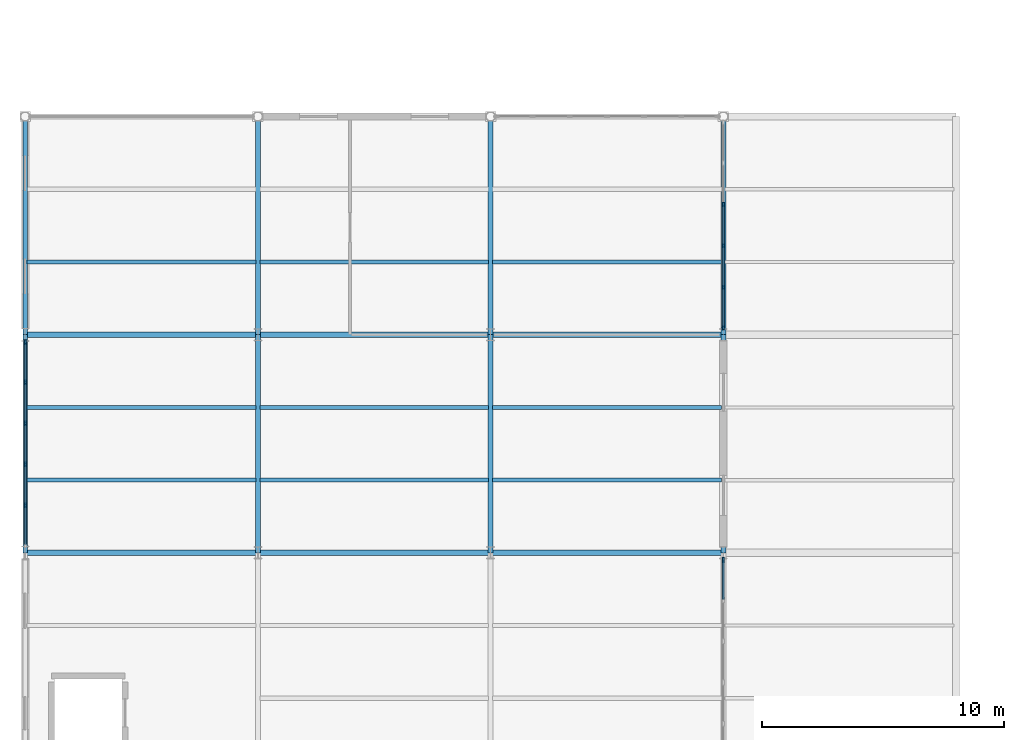
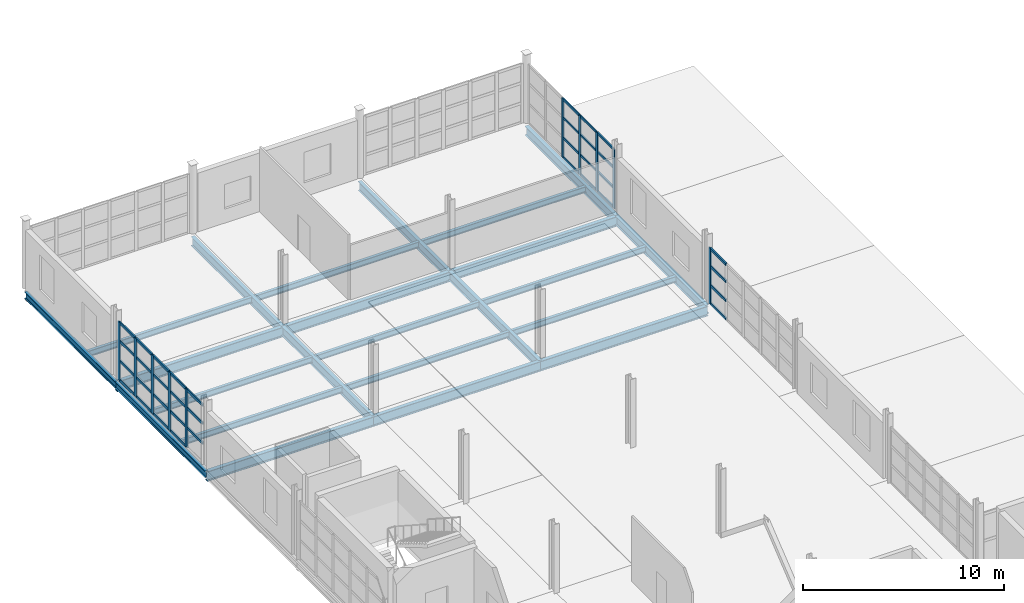
# One storey, part 21 of 82: 45 members, 23 beams, 3 elements without a shape of their own.
"""IFC4 building model written with IfcOpenShell, lengths in metres."""

from ifc_helpers import new_model, si_unit, direction, frame, origin, origin_2d, place, context, subcontext, project, spatial, rectangle, i_section, extrude, material, layer, layer_set, material_profile, profile_set, type_object, element, aggregate, save


model = new_model("IFC4")

# Units and contexts
model_context = context("Model", 3, precision=1e-05, world=origin(), true_north=direction((0.0, 1.0)))
body_context = subcontext(model_context, "Body", "Model", "MODEL_VIEW")
ifc_project = project(units=[si_unit("LENGTHUNIT", "METRE"), si_unit("AREAUNIT", "SQUARE_METRE"), si_unit("VOLUMEUNIT", "CUBIC_METRE"), si_unit("PLANEANGLEUNIT", "RADIAN"), si_unit("MASSUNIT", "GRAM", prefix="KILO")], contexts=[model_context])

# Site, building, storey
site_placement = place(None, origin())
site = spatial("IfcSite", under=ifc_project, at=site_placement, CompositionType="ELEMENT")
building_placement = place(site_placement, origin())
building = spatial("IfcBuilding", under=site, at=building_placement, Name="Zarnetskaya Central Station", CompositionType="ELEMENT")
storey_placement = place(building_placement, frame((0.0, 0.0, 10.199951171875)))
storey = spatial("IfcBuildingStorey", under=building, at=storey_placement, Name="L02", CompositionType="ELEMENT", Elevation=10.199951171875)

# Beams
ifc_material_1 = material(Name="Steel S355", Category="steel")
ifc_material_profile_1 = material_profile(ifc_material_1, i_section(OverallWidth=0.169921875, OverallDepth=0.360107421875, WebThickness=0.008056640625, FlangeThickness=0.0126953125, FilletRadius=0.01806640625, at=origin_2d()), Name="IPE 360")
ifc_profile_set_1 = profile_set([ifc_material_profile_1], Name="Steel S355")
beam_type_1 = type_object("IfcBeamType", Name="BM-SEC-360", PredefinedType="BEAM", material=ifc_profile_set_1)
for number, where, z_axis, x_axis, name in (
    (1, (0.080078125, 52.199951171875, -0.43994140625), (1.0, 0.0, 0.0), (0.0, 1.0, 0.0), "Secondary floor beam SEC-L02-Z994-AB-78-1"),
    (2, (0.080078125, 55.199951171875, -0.43994140625), (1.0, 0.0, 0.0), (0.0, 1.0, 0.0), "Secondary floor beam SEC-L02-Z994-AB-78-2"),
    (3, (0.080078125, 61.199951171875, -0.43994140625), (1.0, 0.0, 0.0), (0.0, 1.0, 0.0), "Secondary floor beam SEC-L02-Z994-AB-89-1"),
):
    element("IfcBeam", number, at=place(storey_placement, frame(where, z_axis=z_axis, x_axis=x_axis)), inside=storey, type_object=beam_type_1, Name=name, PredefinedType="BEAM", context=body_context, shape_type="SweptSolid", body=[
        extrude(i_section(OverallWidth=0.169921875, OverallDepth=0.360107421875, WebThickness=0.008056640625, FlangeThickness=0.0126953125, FilletRadius=0.01806640625, at=origin_2d()), origin(), (0.0, 0.0, 1.0), 9.43994140625),
    ])
for number, where, z_axis, x_axis, name in (
    (4, (9.679931640625, 52.199951171875, -0.43994140625), (1.0, 0.0, 0.0), (0.0, 1.0, 0.0), "Secondary floor beam SEC-L02-Z994-BC-78-1"),
    (5, (9.679931640625, 55.199951171875, -0.43994140625), (1.0, 0.0, 0.0), (0.0, 1.0, 0.0), "Secondary floor beam SEC-L02-Z994-BC-78-2"),
    (6, (9.679931640625, 61.199951171875, -0.43994140625), (1.0, 0.0, 0.0), (0.0, 1.0, 0.0), "Secondary floor beam SEC-L02-Z994-BC-89-1"),
):
    element("IfcBeam", number, at=place(storey_placement, frame(where, z_axis=z_axis, x_axis=x_axis)), inside=storey, type_object=beam_type_1, Name=name, PredefinedType="BEAM", context=body_context, shape_type="SweptSolid", body=[
        extrude(i_section(OverallWidth=0.169921875, OverallDepth=0.360107421875, WebThickness=0.008056640625, FlangeThickness=0.0126953125, FilletRadius=0.01806640625, at=origin_2d()), origin(), (0.0, 0.0, 1.0), 9.440185546875),
    ])
for number, where, z_axis, x_axis, name in (
    (7, (19.280029296875, 52.199951171875, -0.43994140625), (1.0, 0.0, 0.0), (0.0, 1.0, 0.0), "Secondary floor beam SEC-L02-Z994-CD-78-1"),
    (8, (19.280029296875, 55.199951171875, -0.43994140625), (1.0, 0.0, 0.0), (0.0, 1.0, 0.0), "Secondary floor beam SEC-L02-Z994-CD-78-2"),
    (9, (19.280029296875, 61.199951171875, -0.43994140625), (1.0, 0.0, 0.0), (0.0, 1.0, 0.0), "Secondary floor beam SEC-L02-Z994-CD-89-1"),
):
    element("IfcBeam", number, at=place(storey_placement, frame(where, z_axis=z_axis, x_axis=x_axis)), inside=storey, type_object=beam_type_1, Name=name, PredefinedType="BEAM", context=body_context, shape_type="SweptSolid", body=[
        extrude(i_section(OverallWidth=0.169921875, OverallDepth=0.360107421875, WebThickness=0.008056640625, FlangeThickness=0.0126953125, FilletRadius=0.01806640625, at=origin_2d()), origin(), (0.0, 0.0, 1.0), 9.43994140625),
    ])
ifc_material_profile_2 = material_profile(ifc_material_1, i_section(OverallWidth=0.179931640625, OverallDepth=0.39990234375, WebThickness=0.008544921875, FlangeThickness=0.013427734375, FilletRadius=0.02099609375, at=origin_2d()), Name="IPE 400")
ifc_profile_set_2 = profile_set([ifc_material_profile_2], Name="Steel S355")
beam_type_2 = type_object("IfcBeamType", Name="BM-SPN-V5", PredefinedType="SPANDREL", material=ifc_profile_set_2)
for number, where, z_axis, x_axis, name in (
    (10, (0.0, 49.199951171875, -0.4599609375), (0.0, 1.0, 0.0), (-1.0, 0.0, 0.0), "Grid girder GY-L02-A-78"),
    (11, (0.0, 58.199951171875, -0.4599609375), (0.0, 1.0, 0.0), (-1.0, 0.0, 0.0), "Grid girder GY-L02-A-89"),
):
    element("IfcBeam", number, at=place(storey_placement, frame(where, z_axis=z_axis, x_axis=x_axis)), inside=storey, type_object=beam_type_2, Name=name, PredefinedType="SPANDREL", context=body_context, shape_type="SweptSolid", body=[
        extrude(i_section(OverallWidth=0.179931640625, OverallDepth=0.39990234375, WebThickness=0.008544921875, FlangeThickness=0.013427734375, FilletRadius=0.02099609375, at=origin_2d()), origin(), (0.0, 0.0, 1.0), 9.0),
    ])

# Curtain wall, members
ifc_material_2 = material(Name="Low-E insulated glass", Category="glass")
ifc_layer_1 = layer(ifc_material_2, 0.172119140625, Name="Low-E insulated glass", Category="glass")
ifc_layer_set_1 = layer_set([ifc_layer_1], Name="Low-E insulated glass")
curtain_wall_type_1 = type_object("IfcCurtainWallType", Name="CW-SYS-04", PredefinedType="USERDEFINED", material=ifc_layer_set_1)
curtain_wall_1_placement = place(storey_placement, origin())
curtain_wall_1 = element("IfcCurtainWall", 12, at=curtain_wall_1_placement, inside=storey, type_object=curtain_wall_type_1, Name="Curtain wall CW-L02-021", ObjectType="CURTAIN WALL", PredefinedType="USERDEFINED")
ifc_material_3 = material(Name="Anodised aluminium", Category="aluminium")
ifc_material_profile_3 = material_profile(ifc_material_3, rectangle(XDim=0.070068359375, YDim=0.179931640625, at=origin_2d()), Name="ALU MULL 70x180")
ifc_profile_set_3 = profile_set([ifc_material_profile_3], Name="Anodised aluminium")
member_type_1 = type_object("IfcMemberType", Name="CW-MULL-180", PredefinedType="MULLION", material=ifc_profile_set_3)
member_1_placement = place(storey_placement, frame((28.800048828125, 63.578125, 0.0), z_axis=(0.0, 0.0, 1.0), x_axis=(1.0, 0.0, 0.0)))
member_1 = element("IfcMember", 13, at=member_1_placement, type_object=member_type_1, Name="CW-15 mullion 3", PredefinedType="MULLION", context=body_context, shape_type="SweptSolid", body=[
    extrude(rectangle(XDim=0.070068359375, YDim=0.179931640625, at=origin_2d()), origin(), (0.0, 0.0, 1.0), 3.60009765625),
])
member_2_placement = place(storey_placement, frame((28.800048828125, 61.86865234375, 0.0), z_axis=(0.0, 0.0, 1.0), x_axis=(1.0, 0.0, 0.0)))
member_2 = element("IfcMember", 14, at=member_2_placement, type_object=member_type_1, Name="CW-15 mullion 4", PredefinedType="MULLION", context=body_context, shape_type="SweptSolid", body=[
    extrude(rectangle(XDim=0.070068359375, YDim=0.179931640625, at=origin_2d()), origin(), (0.0, 0.0, 1.0), 3.60009765625),
])
member_3_placement = place(storey_placement, frame((28.800048828125, 60.159423828125, 0.0), z_axis=(0.0, 0.0, 1.0), x_axis=(1.0, 0.0, 0.0)))
member_3 = element("IfcMember", 15, at=member_3_placement, type_object=member_type_1, Name="CW-15 mullion 5", PredefinedType="MULLION", context=body_context, shape_type="SweptSolid", body=[
    extrude(rectangle(XDim=0.070068359375, YDim=0.179931640625, at=origin_2d()), origin(), (0.0, 0.0, 1.0), 3.60009765625),
])
member_4_placement = place(storey_placement, frame((28.800048828125, 58.485107421875, 0.0), z_axis=(0.0, 0.0, 1.0), x_axis=(1.0, 0.0, 0.0)))
member_4 = element("IfcMember", 16, at=member_4_placement, type_object=member_type_1, Name="CW-15 mullion 6", PredefinedType="MULLION", context=body_context, shape_type="SweptSolid", body=[
    extrude(rectangle(XDim=0.070068359375, YDim=0.179931640625, at=origin_2d()), origin(), (0.0, 0.0, 1.0), 3.60009765625),
])

ifc_layer_2 = layer(ifc_material_2, 0.176025390625, Name="Low-E insulated glass", Category="glass")
ifc_layer_set_2 = layer_set([ifc_layer_2], Name="Low-E insulated glass")
curtain_wall_type_2 = type_object("IfcCurtainWallType", Name="CW-SYS-10", PredefinedType="USERDEFINED", material=ifc_layer_set_2)
curtain_wall_2_placement = place(storey_placement, origin())
curtain_wall_2 = element("IfcCurtainWall", 17, at=curtain_wall_2_placement, inside=storey, type_object=curtain_wall_type_2, Name="Curtain wall CW-L02-018", ObjectType="CURTAIN WALL", PredefinedType="USERDEFINED")
ifc_material_profile_4 = material_profile(ifc_material_3, rectangle(XDim=0.080078125, YDim=0.219970703125, at=origin_2d()), Name="ALU MULL 80x220")
ifc_profile_set_4 = profile_set([ifc_material_profile_4], Name="Anodised aluminium")
member_type_2 = type_object("IfcMemberType", Name="CW-MULL-220", PredefinedType="MULLION", material=ifc_profile_set_4)
member_5_placement = place(storey_placement, frame((0.0, 51.1650390625, 0.0), z_axis=(0.0, 0.0, 1.0), x_axis=(-1.0, 0.0, 0.0)))
member_5 = element("IfcMember", 18, at=member_5_placement, type_object=member_type_2, Name="CW-13 mullion 2", PredefinedType="MULLION", context=body_context, shape_type="SweptSolid", body=[
    extrude(rectangle(XDim=0.080078125, YDim=0.219970703125, at=origin_2d()), origin(), (0.0, 0.0, 1.0), 3.550048828125),
])
member_6_placement = place(storey_placement, frame((0.0, 52.85498046875, 0.0), z_axis=(0.0, 0.0, 1.0), x_axis=(-1.0, 0.0, 0.0)))
member_6 = element("IfcMember", 19, at=member_6_placement, type_object=member_type_2, Name="CW-13 mullion 3", PredefinedType="MULLION", context=body_context, shape_type="SweptSolid", body=[
    extrude(rectangle(XDim=0.080078125, YDim=0.219970703125, at=origin_2d()), origin(), (0.0, 0.0, 1.0), 3.550048828125),
])
member_7_placement = place(storey_placement, frame((0.0, 54.544921875, 0.0), z_axis=(0.0, 0.0, 1.0), x_axis=(-1.0, 0.0, 0.0)))
member_7 = element("IfcMember", 20, at=member_7_placement, type_object=member_type_2, Name="CW-13 mullion 4", PredefinedType="MULLION", context=body_context, shape_type="SweptSolid", body=[
    extrude(rectangle(XDim=0.080078125, YDim=0.219970703125, at=origin_2d()), origin(), (0.0, 0.0, 1.0), 3.550048828125),
])
member_8_placement = place(storey_placement, frame((0.0, 56.235107421875, 0.0), z_axis=(0.0, 0.0, 1.0), x_axis=(-1.0, 0.0, 0.0)))
member_8 = element("IfcMember", 21, at=member_8_placement, type_object=member_type_2, Name="CW-13 mullion 5", PredefinedType="MULLION", context=body_context, shape_type="SweptSolid", body=[
    extrude(rectangle(XDim=0.080078125, YDim=0.219970703125, at=origin_2d()), origin(), (0.0, 0.0, 1.0), 3.550048828125),
])
member_9_placement = place(storey_placement, frame((0.0, 57.885009765625, 0.0), z_axis=(0.0, 0.0, 1.0), x_axis=(-1.0, 0.0, 0.0)))
member_9 = element("IfcMember", 22, at=member_9_placement, type_object=member_type_2, Name="CW-13 mullion 6", PredefinedType="MULLION", context=body_context, shape_type="SweptSolid", body=[
    extrude(rectangle(XDim=0.080078125, YDim=0.219970703125, at=origin_2d()), origin(), (0.0, 0.0, 1.0), 3.550048828125),
])

# Curtain wall, member
ifc_layer_3 = layer(ifc_material_2, 0.159912109375, Name="Low-E insulated glass", Category="glass")
ifc_layer_set_3 = layer_set([ifc_layer_3], Name="Low-E insulated glass")
curtain_wall_type_3 = type_object("IfcCurtainWallType", Name="CW-SYS-06", PredefinedType="USERDEFINED", material=ifc_layer_set_3)
curtain_wall_3_placement = place(storey_placement, origin())
curtain_wall_3 = element("IfcCurtainWall", 23, at=curtain_wall_3_placement, inside=storey, type_object=curtain_wall_type_3, Name="Curtain wall CW-L02-022", ObjectType="CURTAIN WALL", PredefinedType="USERDEFINED")
member_10_placement = place(storey_placement, frame((28.800048828125, 48.909912109375, 0.0), z_axis=(0.0, 0.0, 1.0), x_axis=(1.0, 0.0, 0.0)))
member_10 = element("IfcMember", 24, at=member_10_placement, type_object=member_type_2, Name="CW-02 mullion 1", PredefinedType="MULLION", context=body_context, shape_type="SweptSolid", body=[
    extrude(rectangle(XDim=0.080078125, YDim=0.219970703125, at=origin_2d()), origin(), (0.0, 0.0, 1.0), 3.400146484375),
])

# Member
ifc_material_profile_5 = material_profile(ifc_material_3, rectangle(XDim=0.070068359375, YDim=0.139892578125, at=origin_2d()), Name="ALU TRAN 70x140")
ifc_profile_set_5 = profile_set([ifc_material_profile_5], Name="Anodised aluminium")
member_type_3 = type_object("IfcMemberType", Name="CW-TRAN-140", PredefinedType="USERDEFINED", material=ifc_profile_set_5)
member_11_placement = place(storey_placement, frame((28.800048828125, 63.54296875, 0.03515625), z_axis=(0.0, -1.0, 0.0), x_axis=(1.0, 0.0, 0.0)))
member_11 = element("IfcMember", 25, at=member_11_placement, type_object=member_type_3, Name="CW-15 transom 3.1", ObjectType="TRANSOM", PredefinedType="USERDEFINED", context=body_context, shape_type="SweptSolid", body=[
    extrude(rectangle(XDim=0.070068359375, YDim=0.139892578125, at=origin_2d()), origin(), (0.0, 0.0, 1.0), 1.63916015625),
])

member_12_placement = place(storey_placement, frame((28.800048828125, 63.54296875, 1.22412109375), z_axis=(0.0, -1.0, 0.0), x_axis=(1.0, 0.0, 0.0)))
member_12 = element("IfcMember", 26, at=member_12_placement, type_object=member_type_3, Name="CW-15 transom 3.2", ObjectType="TRANSOM", PredefinedType="USERDEFINED", context=body_context, shape_type="SweptSolid", body=[
    extrude(rectangle(XDim=0.070068359375, YDim=0.139892578125, at=origin_2d()), origin(), (0.0, 0.0, 1.0), 1.63916015625),
])

member_13_placement = place(storey_placement, frame((28.800048828125, 63.54296875, 2.447998046875), z_axis=(0.0, -1.0, 0.0), x_axis=(1.0, 0.0, 0.0)))
member_13 = element("IfcMember", 27, at=member_13_placement, type_object=member_type_3, Name="CW-15 transom 3.3", ObjectType="TRANSOM", PredefinedType="USERDEFINED", context=body_context, shape_type="SweptSolid", body=[
    extrude(rectangle(XDim=0.070068359375, YDim=0.139892578125, at=origin_2d()), origin(), (0.0, 0.0, 1.0), 1.63916015625),
])

member_14_placement = place(storey_placement, frame((28.800048828125, 63.54296875, 3.56494140625), z_axis=(0.0, -1.0, 0.0), x_axis=(1.0, 0.0, 0.0)))
member_14 = element("IfcMember", 28, at=member_14_placement, type_object=member_type_3, Name="CW-15 transom 3.4", ObjectType="TRANSOM", PredefinedType="USERDEFINED", context=body_context, shape_type="SweptSolid", body=[
    extrude(rectangle(XDim=0.070068359375, YDim=0.139892578125, at=origin_2d()), origin(), (0.0, 0.0, 1.0), 1.63916015625),
])

member_15_placement = place(storey_placement, frame((28.800048828125, 61.833740234375, 0.03515625), z_axis=(0.0, -1.0, 0.0), x_axis=(1.0, 0.0, 0.0)))
member_15 = element("IfcMember", 29, at=member_15_placement, type_object=member_type_3, Name="CW-15 transom 4.1", ObjectType="TRANSOM", PredefinedType="USERDEFINED", context=body_context, shape_type="SweptSolid", body=[
    extrude(rectangle(XDim=0.070068359375, YDim=0.139892578125, at=origin_2d()), origin(), (0.0, 0.0, 1.0), 1.639404296875),
])

member_16_placement = place(storey_placement, frame((28.800048828125, 61.833740234375, 1.22412109375), z_axis=(0.0, -1.0, 0.0), x_axis=(1.0, 0.0, 0.0)))
member_16 = element("IfcMember", 30, at=member_16_placement, type_object=member_type_3, Name="CW-15 transom 4.2", ObjectType="TRANSOM", PredefinedType="USERDEFINED", context=body_context, shape_type="SweptSolid", body=[
    extrude(rectangle(XDim=0.070068359375, YDim=0.139892578125, at=origin_2d()), origin(), (0.0, 0.0, 1.0), 1.639404296875),
])

member_17_placement = place(storey_placement, frame((28.800048828125, 61.833740234375, 2.447998046875), z_axis=(0.0, -1.0, 0.0), x_axis=(1.0, 0.0, 0.0)))
member_17 = element("IfcMember", 31, at=member_17_placement, type_object=member_type_3, Name="CW-15 transom 4.3", ObjectType="TRANSOM", PredefinedType="USERDEFINED", context=body_context, shape_type="SweptSolid", body=[
    extrude(rectangle(XDim=0.070068359375, YDim=0.139892578125, at=origin_2d()), origin(), (0.0, 0.0, 1.0), 1.639404296875),
])

member_18_placement = place(storey_placement, frame((28.800048828125, 61.833740234375, 3.56494140625), z_axis=(0.0, -1.0, 0.0), x_axis=(1.0, 0.0, 0.0)))
member_18 = element("IfcMember", 32, at=member_18_placement, type_object=member_type_3, Name="CW-15 transom 4.4", ObjectType="TRANSOM", PredefinedType="USERDEFINED", context=body_context, shape_type="SweptSolid", body=[
    extrude(rectangle(XDim=0.070068359375, YDim=0.139892578125, at=origin_2d()), origin(), (0.0, 0.0, 1.0), 1.639404296875),
])

member_19_placement = place(storey_placement, frame((28.800048828125, 60.124267578125, 0.03515625), z_axis=(0.0, -1.0, 0.0), x_axis=(1.0, 0.0, 0.0)))
member_19 = element("IfcMember", 33, at=member_19_placement, type_object=member_type_3, Name="CW-15 transom 5.1", ObjectType="TRANSOM", PredefinedType="USERDEFINED", context=body_context, shape_type="SweptSolid", body=[
    extrude(rectangle(XDim=0.070068359375, YDim=0.139892578125, at=origin_2d()), origin(), (0.0, 0.0, 1.0), 1.604248046875),
])

member_20_placement = place(storey_placement, frame((28.800048828125, 60.124267578125, 1.22412109375), z_axis=(0.0, -1.0, 0.0), x_axis=(1.0, 0.0, 0.0)))
member_20 = element("IfcMember", 34, at=member_20_placement, type_object=member_type_3, Name="CW-15 transom 5.2", ObjectType="TRANSOM", PredefinedType="USERDEFINED", context=body_context, shape_type="SweptSolid", body=[
    extrude(rectangle(XDim=0.070068359375, YDim=0.139892578125, at=origin_2d()), origin(), (0.0, 0.0, 1.0), 1.604248046875),
])

member_21_placement = place(storey_placement, frame((28.800048828125, 60.124267578125, 2.447998046875), z_axis=(0.0, -1.0, 0.0), x_axis=(1.0, 0.0, 0.0)))
member_21 = element("IfcMember", 35, at=member_21_placement, type_object=member_type_3, Name="CW-15 transom 5.3", ObjectType="TRANSOM", PredefinedType="USERDEFINED", context=body_context, shape_type="SweptSolid", body=[
    extrude(rectangle(XDim=0.070068359375, YDim=0.139892578125, at=origin_2d()), origin(), (0.0, 0.0, 1.0), 1.604248046875),
])

member_22_placement = place(storey_placement, frame((28.800048828125, 60.124267578125, 3.56494140625), z_axis=(0.0, -1.0, 0.0), x_axis=(1.0, 0.0, 0.0)))
member_22 = element("IfcMember", 36, at=member_22_placement, type_object=member_type_3, Name="CW-15 transom 5.4", ObjectType="TRANSOM", PredefinedType="USERDEFINED", context=body_context, shape_type="SweptSolid", body=[
    extrude(rectangle(XDim=0.070068359375, YDim=0.139892578125, at=origin_2d()), origin(), (0.0, 0.0, 1.0), 1.604248046875),
])

aggregate(curtain_wall_1, [member_1, member_2, member_3, member_4, member_11, member_12, member_13, member_14, member_15, member_16, member_17, member_18, member_19, member_20, member_21, member_22])

ifc_material_profile_6 = material_profile(ifc_material_3, rectangle(XDim=0.080078125, YDim=0.159912109375, at=origin_2d()), Name="ALU TRAN 80x160")
ifc_profile_set_6 = profile_set([ifc_material_profile_6], Name="Anodised aluminium")
member_type_4 = type_object("IfcMemberType", Name="CW-TRAN-160", PredefinedType="USERDEFINED", material=ifc_profile_set_6)
member_23_placement = place(storey_placement, frame((0.0, 49.554931640625, 1.20703125), z_axis=(0.0, 1.0, 0.0), x_axis=(-1.0, 0.0, 0.0)))
member_23 = element("IfcMember", 37, at=member_23_placement, type_object=member_type_4, Name="CW-13 transom 1.2", ObjectType="TRANSOM", PredefinedType="USERDEFINED", context=body_context, shape_type="SweptSolid", body=[
    extrude(rectangle(XDim=0.080078125, YDim=0.159912109375, at=origin_2d()), origin(), (0.0, 0.0, 1.0), 1.570068359375),
])

member_24_placement = place(storey_placement, frame((0.0, 49.554931640625, 2.4140625), z_axis=(0.0, 1.0, 0.0), x_axis=(-1.0, 0.0, 0.0)))
member_24 = element("IfcMember", 38, at=member_24_placement, type_object=member_type_4, Name="CW-13 transom 1.3", ObjectType="TRANSOM", PredefinedType="USERDEFINED", context=body_context, shape_type="SweptSolid", body=[
    extrude(rectangle(XDim=0.080078125, YDim=0.159912109375, at=origin_2d()), origin(), (0.0, 0.0, 1.0), 1.570068359375),
])

member_25_placement = place(storey_placement, frame((0.0, 49.554931640625, 3.510009765625), z_axis=(0.0, 1.0, 0.0), x_axis=(-1.0, 0.0, 0.0)))
member_25 = element("IfcMember", 39, at=member_25_placement, type_object=member_type_4, Name="CW-13 transom 1.4", ObjectType="TRANSOM", PredefinedType="USERDEFINED", context=body_context, shape_type="SweptSolid", body=[
    extrude(rectangle(XDim=0.080078125, YDim=0.159912109375, at=origin_2d()), origin(), (0.0, 0.0, 1.0), 1.570068359375),
])

member_26_placement = place(storey_placement, frame((0.0, 51.205078125, 0.0400390625), z_axis=(0.0, 1.0, 0.0), x_axis=(-1.0, 0.0, 0.0)))
member_26 = element("IfcMember", 40, at=member_26_placement, type_object=member_type_4, Name="CW-13 transom 2.1", ObjectType="TRANSOM", PredefinedType="USERDEFINED", context=body_context, shape_type="SweptSolid", body=[
    extrude(rectangle(XDim=0.080078125, YDim=0.159912109375, at=origin_2d()), origin(), (0.0, 0.0, 1.0), 1.60986328125),
])

member_27_placement = place(storey_placement, frame((0.0, 51.205078125, 1.20703125), z_axis=(0.0, 1.0, 0.0), x_axis=(-1.0, 0.0, 0.0)))
member_27 = element("IfcMember", 41, at=member_27_placement, type_object=member_type_4, Name="CW-13 transom 2.2", ObjectType="TRANSOM", PredefinedType="USERDEFINED", context=body_context, shape_type="SweptSolid", body=[
    extrude(rectangle(XDim=0.080078125, YDim=0.159912109375, at=origin_2d()), origin(), (0.0, 0.0, 1.0), 1.60986328125),
])

member_28_placement = place(storey_placement, frame((0.0, 51.205078125, 2.4140625), z_axis=(0.0, 1.0, 0.0), x_axis=(-1.0, 0.0, 0.0)))
member_28 = element("IfcMember", 42, at=member_28_placement, type_object=member_type_4, Name="CW-13 transom 2.3", ObjectType="TRANSOM", PredefinedType="USERDEFINED", context=body_context, shape_type="SweptSolid", body=[
    extrude(rectangle(XDim=0.080078125, YDim=0.159912109375, at=origin_2d()), origin(), (0.0, 0.0, 1.0), 1.60986328125),
])

member_29_placement = place(storey_placement, frame((0.0, 51.205078125, 3.510009765625), z_axis=(0.0, 1.0, 0.0), x_axis=(-1.0, 0.0, 0.0)))
member_29 = element("IfcMember", 43, at=member_29_placement, type_object=member_type_4, Name="CW-13 transom 2.4", ObjectType="TRANSOM", PredefinedType="USERDEFINED", context=body_context, shape_type="SweptSolid", body=[
    extrude(rectangle(XDim=0.080078125, YDim=0.159912109375, at=origin_2d()), origin(), (0.0, 0.0, 1.0), 1.60986328125),
])

member_30_placement = place(storey_placement, frame((0.0, 52.89501953125, 0.0400390625), z_axis=(0.0, 1.0, 0.0), x_axis=(-1.0, 0.0, 0.0)))
member_30 = element("IfcMember", 44, at=member_30_placement, type_object=member_type_4, Name="CW-13 transom 3.1", ObjectType="TRANSOM", PredefinedType="USERDEFINED", context=body_context, shape_type="SweptSolid", body=[
    extrude(rectangle(XDim=0.080078125, YDim=0.159912109375, at=origin_2d()), origin(), (0.0, 0.0, 1.0), 1.60986328125),
])

member_31_placement = place(storey_placement, frame((0.0, 52.89501953125, 1.20703125), z_axis=(0.0, 1.0, 0.0), x_axis=(-1.0, 0.0, 0.0)))
member_31 = element("IfcMember", 45, at=member_31_placement, type_object=member_type_4, Name="CW-13 transom 3.2", ObjectType="TRANSOM", PredefinedType="USERDEFINED", context=body_context, shape_type="SweptSolid", body=[
    extrude(rectangle(XDim=0.080078125, YDim=0.159912109375, at=origin_2d()), origin(), (0.0, 0.0, 1.0), 1.60986328125),
])

member_32_placement = place(storey_placement, frame((0.0, 52.89501953125, 2.4140625), z_axis=(0.0, 1.0, 0.0), x_axis=(-1.0, 0.0, 0.0)))
member_32 = element("IfcMember", 46, at=member_32_placement, type_object=member_type_4, Name="CW-13 transom 3.3", ObjectType="TRANSOM", PredefinedType="USERDEFINED", context=body_context, shape_type="SweptSolid", body=[
    extrude(rectangle(XDim=0.080078125, YDim=0.159912109375, at=origin_2d()), origin(), (0.0, 0.0, 1.0), 1.60986328125),
])

member_33_placement = place(storey_placement, frame((0.0, 52.89501953125, 3.510009765625), z_axis=(0.0, 1.0, 0.0), x_axis=(-1.0, 0.0, 0.0)))
member_33 = element("IfcMember", 47, at=member_33_placement, type_object=member_type_4, Name="CW-13 transom 3.4", ObjectType="TRANSOM", PredefinedType="USERDEFINED", context=body_context, shape_type="SweptSolid", body=[
    extrude(rectangle(XDim=0.080078125, YDim=0.159912109375, at=origin_2d()), origin(), (0.0, 0.0, 1.0), 1.60986328125),
])

member_34_placement = place(storey_placement, frame((0.0, 54.5849609375, 0.0400390625), z_axis=(0.0, 1.0, 0.0), x_axis=(-1.0, 0.0, 0.0)))
member_34 = element("IfcMember", 48, at=member_34_placement, type_object=member_type_4, Name="CW-13 transom 4.1", ObjectType="TRANSOM", PredefinedType="USERDEFINED", context=body_context, shape_type="SweptSolid", body=[
    extrude(rectangle(XDim=0.080078125, YDim=0.159912109375, at=origin_2d()), origin(), (0.0, 0.0, 1.0), 1.610107421875),
])

member_35_placement = place(storey_placement, frame((0.0, 54.5849609375, 1.20703125), z_axis=(0.0, 1.0, 0.0), x_axis=(-1.0, 0.0, 0.0)))
member_35 = element("IfcMember", 49, at=member_35_placement, type_object=member_type_4, Name="CW-13 transom 4.2", ObjectType="TRANSOM", PredefinedType="USERDEFINED", context=body_context, shape_type="SweptSolid", body=[
    extrude(rectangle(XDim=0.080078125, YDim=0.159912109375, at=origin_2d()), origin(), (0.0, 0.0, 1.0), 1.610107421875),
])

member_36_placement = place(storey_placement, frame((0.0, 54.5849609375, 2.4140625), z_axis=(0.0, 1.0, 0.0), x_axis=(-1.0, 0.0, 0.0)))
member_36 = element("IfcMember", 50, at=member_36_placement, type_object=member_type_4, Name="CW-13 transom 4.3", ObjectType="TRANSOM", PredefinedType="USERDEFINED", context=body_context, shape_type="SweptSolid", body=[
    extrude(rectangle(XDim=0.080078125, YDim=0.159912109375, at=origin_2d()), origin(), (0.0, 0.0, 1.0), 1.610107421875),
])

member_37_placement = place(storey_placement, frame((0.0, 54.5849609375, 3.510009765625), z_axis=(0.0, 1.0, 0.0), x_axis=(-1.0, 0.0, 0.0)))
member_37 = element("IfcMember", 51, at=member_37_placement, type_object=member_type_4, Name="CW-13 transom 4.4", ObjectType="TRANSOM", PredefinedType="USERDEFINED", context=body_context, shape_type="SweptSolid", body=[
    extrude(rectangle(XDim=0.080078125, YDim=0.159912109375, at=origin_2d()), origin(), (0.0, 0.0, 1.0), 1.610107421875),
])

member_38_placement = place(storey_placement, frame((0.0, 56.27490234375, 0.0400390625), z_axis=(0.0, 1.0, 0.0), x_axis=(-1.0, 0.0, 0.0)))
member_38 = element("IfcMember", 52, at=member_38_placement, type_object=member_type_4, Name="CW-13 transom 5.1", ObjectType="TRANSOM", PredefinedType="USERDEFINED", context=body_context, shape_type="SweptSolid", body=[
    extrude(rectangle(XDim=0.080078125, YDim=0.159912109375, at=origin_2d()), origin(), (0.0, 0.0, 1.0), 1.570068359375),
])

member_39_placement = place(storey_placement, frame((0.0, 56.27490234375, 1.20703125), z_axis=(0.0, 1.0, 0.0), x_axis=(-1.0, 0.0, 0.0)))
member_39 = element("IfcMember", 53, at=member_39_placement, type_object=member_type_4, Name="CW-13 transom 5.2", ObjectType="TRANSOM", PredefinedType="USERDEFINED", context=body_context, shape_type="SweptSolid", body=[
    extrude(rectangle(XDim=0.080078125, YDim=0.159912109375, at=origin_2d()), origin(), (0.0, 0.0, 1.0), 1.570068359375),
])

member_40_placement = place(storey_placement, frame((0.0, 56.27490234375, 2.4140625), z_axis=(0.0, 1.0, 0.0), x_axis=(-1.0, 0.0, 0.0)))
member_40 = element("IfcMember", 54, at=member_40_placement, type_object=member_type_4, Name="CW-13 transom 5.3", ObjectType="TRANSOM", PredefinedType="USERDEFINED", context=body_context, shape_type="SweptSolid", body=[
    extrude(rectangle(XDim=0.080078125, YDim=0.159912109375, at=origin_2d()), origin(), (0.0, 0.0, 1.0), 1.570068359375),
])

member_41_placement = place(storey_placement, frame((0.0, 56.27490234375, 3.510009765625), z_axis=(0.0, 1.0, 0.0), x_axis=(-1.0, 0.0, 0.0)))
member_41 = element("IfcMember", 55, at=member_41_placement, type_object=member_type_4, Name="CW-13 transom 5.4", ObjectType="TRANSOM", PredefinedType="USERDEFINED", context=body_context, shape_type="SweptSolid", body=[
    extrude(rectangle(XDim=0.080078125, YDim=0.159912109375, at=origin_2d()), origin(), (0.0, 0.0, 1.0), 1.570068359375),
])

aggregate(curtain_wall_2, [member_5, member_6, member_7, member_8, member_9, member_23, member_24, member_25, member_26, member_27, member_28, member_29, member_30, member_31, member_32, member_33, member_34, member_35, member_36, member_37, member_38, member_39, member_40, member_41])

member_42_placement = place(storey_placement, frame((28.800048828125, 48.8701171875, 0.0400390625), z_axis=(0.0, -1.0, 0.0), x_axis=(1.0, 0.0, 0.0)))
member_42 = element("IfcMember", 56, at=member_42_placement, type_object=member_type_4, Name="CW-02 transom 1.1", ObjectType="TRANSOM", PredefinedType="USERDEFINED", context=body_context, shape_type="SweptSolid", body=[
    extrude(rectangle(XDim=0.080078125, YDim=0.159912109375, at=origin_2d()), origin(), (0.0, 0.0, 1.0), 1.580078125),
])

member_43_placement = place(storey_placement, frame((28.800048828125, 48.8701171875, 1.156005859375), z_axis=(0.0, -1.0, 0.0), x_axis=(1.0, 0.0, 0.0)))
member_43 = element("IfcMember", 57, at=member_43_placement, type_object=member_type_4, Name="CW-02 transom 1.2", ObjectType="TRANSOM", PredefinedType="USERDEFINED", context=body_context, shape_type="SweptSolid", body=[
    extrude(rectangle(XDim=0.080078125, YDim=0.159912109375, at=origin_2d()), origin(), (0.0, 0.0, 1.0), 1.580078125),
])

member_44_placement = place(storey_placement, frame((28.800048828125, 48.8701171875, 2.31201171875), z_axis=(0.0, -1.0, 0.0), x_axis=(1.0, 0.0, 0.0)))
member_44 = element("IfcMember", 58, at=member_44_placement, type_object=member_type_4, Name="CW-02 transom 1.3", ObjectType="TRANSOM", PredefinedType="USERDEFINED", context=body_context, shape_type="SweptSolid", body=[
    extrude(rectangle(XDim=0.080078125, YDim=0.159912109375, at=origin_2d()), origin(), (0.0, 0.0, 1.0), 1.580078125),
])

member_45_placement = place(storey_placement, frame((28.800048828125, 48.8701171875, 3.360107421875), z_axis=(0.0, -1.0, 0.0), x_axis=(1.0, 0.0, 0.0)))
member_45 = element("IfcMember", 59, at=member_45_placement, type_object=member_type_4, Name="CW-02 transom 1.4", ObjectType="TRANSOM", PredefinedType="USERDEFINED", context=body_context, shape_type="SweptSolid", body=[
    extrude(rectangle(XDim=0.080078125, YDim=0.159912109375, at=origin_2d()), origin(), (0.0, 0.0, 1.0), 1.580078125),
])

aggregate(curtain_wall_3, [member_10, member_42, member_43, member_44, member_45])

# Beams
ifc_material_profile_7 = material_profile(ifc_material_1, i_section(OverallWidth=0.2099609375, OverallDepth=0.550048828125, WebThickness=0.010986328125, FlangeThickness=0.01708984375, FilletRadius=0.02392578125, at=origin_2d()), Name="IPE 550")
ifc_profile_set_7 = profile_set([ifc_material_profile_7], Name="Steel S355")
beam_type_3 = type_object("IfcBeamType", Name="GD-FLR-550", PredefinedType="USERDEFINED", material=ifc_profile_set_7)
for number, where, z_axis, x_axis, name in (
    (60, (9.60009765625, 49.199951171875, -0.534912109375), (0.0, 1.0, 0.0), (-1.0, 0.0, 0.0), "Grid girder GY-L02-B-78"),
    (61, (9.60009765625, 58.199951171875, -0.534912109375), (0.0, 1.0, 0.0), (-1.0, 0.0, 0.0), "Grid girder GY-L02-B-89"),
    (62, (19.199951171875, 49.199951171875, -0.534912109375), (0.0, 1.0, 0.0), (-1.0, 0.0, 0.0), "Grid girder GY-L02-C-78"),
    (63, (19.199951171875, 58.199951171875, -0.534912109375), (0.0, 1.0, 0.0), (-1.0, 0.0, 0.0), "Grid girder GY-L02-C-89"),
    (64, (28.800048828125, 49.199951171875, -0.534912109375), (0.0, 1.0, 0.0), (-1.0, 0.0, 0.0), "Grid girder GY-L02-D-78"),
    (65, (28.800048828125, 58.199951171875, -0.534912109375), (0.0, 1.0, 0.0), (-1.0, 0.0, 0.0), "Grid girder GY-L02-D-89"),
):
    element("IfcBeam", number, at=place(storey_placement, frame(where, z_axis=z_axis, x_axis=x_axis)), inside=storey, type_object=beam_type_3, Name=name, ObjectType="GIRDER", PredefinedType="USERDEFINED", context=body_context, shape_type="SweptSolid", body=[
        extrude(i_section(OverallWidth=0.2099609375, OverallDepth=0.550048828125, WebThickness=0.010986328125, FlangeThickness=0.01708984375, FilletRadius=0.02392578125, at=origin_2d()), origin(), (0.0, 0.0, 1.0), 9.0),
    ])
ifc_material_profile_8 = material_profile(ifc_material_1, i_section(OverallWidth=0.219970703125, OverallDepth=0.60009765625, WebThickness=0.011962890625, FlangeThickness=0.01904296875, FilletRadius=0.02392578125, at=origin_2d()), Name="IPE 600")
ifc_profile_set_8 = profile_set([ifc_material_profile_8], Name="Steel S355")
beam_type_4 = type_object("IfcBeamType", Name="GD-FLR-600", PredefinedType="USERDEFINED", material=ifc_profile_set_8)
for number, where, z_axis, x_axis, name in (
    (66, (0.0, 49.199951171875, -0.56005859375), (1.0, 0.0, 0.0), (0.0, 1.0, 0.0), "Grid girder GX-L02-7-AB"),
    (67, (0.0, 58.199951171875, -0.56005859375), (1.0, 0.0, 0.0), (0.0, 1.0, 0.0), "Grid girder GX-L02-8-AB"),
):
    element("IfcBeam", number, at=place(storey_placement, frame(where, z_axis=z_axis, x_axis=x_axis)), inside=storey, type_object=beam_type_4, Name=name, ObjectType="GIRDER", PredefinedType="USERDEFINED", context=body_context, shape_type="SweptSolid", body=[
        extrude(i_section(OverallWidth=0.219970703125, OverallDepth=0.60009765625, WebThickness=0.011962890625, FlangeThickness=0.01904296875, FilletRadius=0.02392578125, at=origin_2d()), origin(), (0.0, 0.0, 1.0), 9.60009765625),
    ])
for number, where, z_axis, x_axis, name in (
    (68, (9.60009765625, 49.199951171875, -0.56005859375), (1.0, 0.0, 0.0), (0.0, 1.0, 0.0), "Grid girder GX-L02-7-BC"),
    (69, (9.60009765625, 58.199951171875, -0.56005859375), (1.0, 0.0, 0.0), (0.0, 1.0, 0.0), "Grid girder GX-L02-8-BC"),
):
    element("IfcBeam", number, at=place(storey_placement, frame(where, z_axis=z_axis, x_axis=x_axis)), inside=storey, type_object=beam_type_4, Name=name, ObjectType="GIRDER", PredefinedType="USERDEFINED", context=body_context, shape_type="SweptSolid", body=[
        extrude(i_section(OverallWidth=0.219970703125, OverallDepth=0.60009765625, WebThickness=0.011962890625, FlangeThickness=0.01904296875, FilletRadius=0.02392578125, at=origin_2d()), origin(), (0.0, 0.0, 1.0), 9.599853515625),
    ])
for number, where, z_axis, x_axis, name in (
    (70, (19.199951171875, 49.199951171875, -0.56005859375), (1.0, 0.0, 0.0), (0.0, 1.0, 0.0), "Grid girder GX-L02-7-CD"),
    (71, (19.199951171875, 58.199951171875, -0.56005859375), (1.0, 0.0, 0.0), (0.0, 1.0, 0.0), "Grid girder GX-L02-8-CD"),
):
    element("IfcBeam", number, at=place(storey_placement, frame(where, z_axis=z_axis, x_axis=x_axis)), inside=storey, type_object=beam_type_4, Name=name, ObjectType="GIRDER", PredefinedType="USERDEFINED", context=body_context, shape_type="SweptSolid", body=[
        extrude(i_section(OverallWidth=0.219970703125, OverallDepth=0.60009765625, WebThickness=0.011962890625, FlangeThickness=0.01904296875, FilletRadius=0.02392578125, at=origin_2d()), origin(), (0.0, 0.0, 1.0), 9.60009765625),
    ])

save(model, "model.ifc")
